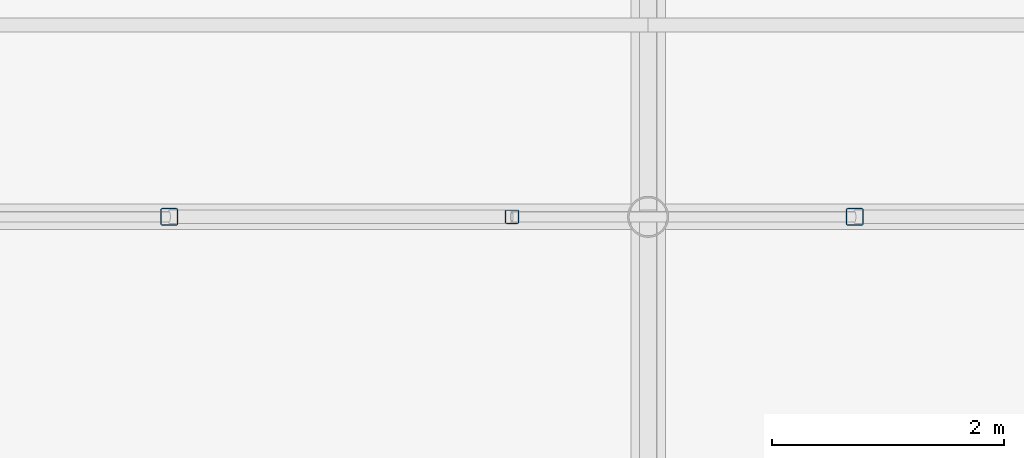
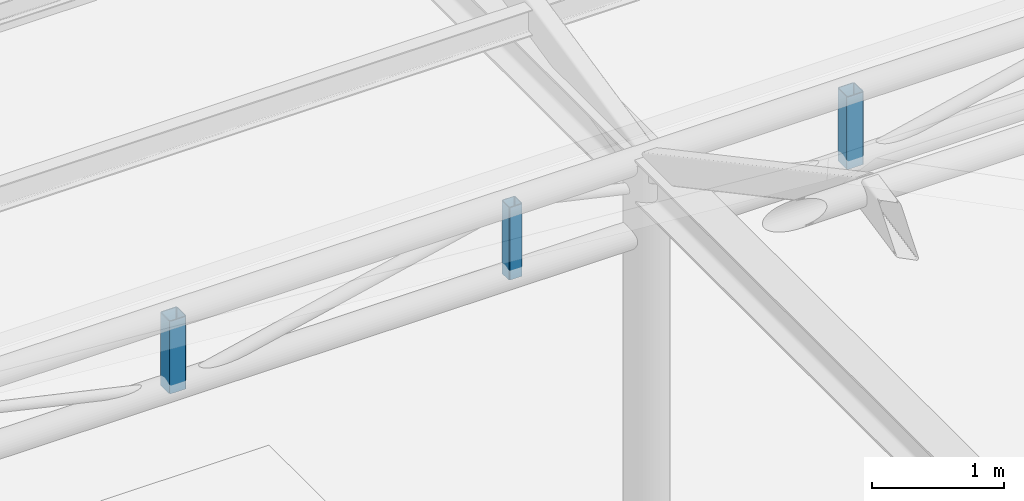
# One storey, part 62 of 118: 3 members.
"""IFC4 building model written with IfcOpenShell, lengths in metres."""

from ifc_helpers import new_model, si_unit, direction, frame, origin, origin_2d, place, context, subcontext, project, spatial, hollow_rectangle, extrude, material, material_profile, profile_set, type_object, element, save


model = new_model("IFC4")

# Units and contexts
model_context = context("Model", 3, precision=1e-05, world=origin(), true_north=direction((0.0, 1.0)))
body_context = subcontext(model_context, "Body", "Model", "MODEL_VIEW")
ifc_project = project(units=[si_unit("LENGTHUNIT", "METRE"), si_unit("AREAUNIT", "SQUARE_METRE"), si_unit("VOLUMEUNIT", "CUBIC_METRE"), si_unit("PLANEANGLEUNIT", "RADIAN"), si_unit("MASSUNIT", "GRAM", prefix="KILO")], contexts=[model_context])

# Site, building, storey
site_placement = place(None, origin())
site = spatial("IfcSite", under=ifc_project, at=site_placement, CompositionType="ELEMENT")
building_placement = place(site_placement, origin())
building = spatial("IfcBuilding", under=site, at=building_placement, Name="Kolvaren Corner Interchange", CompositionType="ELEMENT")
storey_placement = place(building_placement, origin())
storey = spatial("IfcBuildingStorey", under=building, at=storey_placement, Name="L01", CompositionType="ELEMENT", Elevation=0.0)

# Members
ifc_material_1 = material(Name="Steel S355", Category="steel")
ifc_material_profile_1 = material_profile(ifc_material_1, hollow_rectangle(XDim=0.1201171875, YDim=0.1201171875, WallThickness=0.00634765625, InnerFilletRadius=0.00634765625, OuterFilletRadius=0.0126953125, at=origin_2d()), Name="SHS 120x120x6.3")
ifc_profile_set_1 = profile_set([ifc_material_profile_1], Name="Steel S355")
member_type_1 = type_object("IfcMemberType", Name="MEM-PT-SHS120", PredefinedType="POST", material=ifc_profile_set_1)
member_placement = place(storey_placement, frame((154.625, 90.0, 5.64990234375), z_axis=(0.0, 0.0, 1.0), x_axis=(1.0, 0.0, 0.0)))
element("IfcMember", 1, at=member_placement, inside=storey, type_object=member_type_1, Name="Bus Canopy Sawtooth Roof Truss 05 Web Post 10", PredefinedType="POST", context=body_context, shape_type="SweptSolid", body=[
    extrude(hollow_rectangle(XDim=0.1201171875, YDim=0.1201171875, WallThickness=0.00634765625, InnerFilletRadius=0.00634765625, OuterFilletRadius=0.0126953125, at=origin_2d()), origin(), (0.0, 0.0, 1.0), 0.670166015625),
])
ifc_material_2 = material(Name="Steel S355", Category="steel")
ifc_material_profile_2 = material_profile(ifc_material_2, hollow_rectangle(XDim=0.14990234375, YDim=0.14990234375, WallThickness=0.008056640625, InnerFilletRadius=0.008056640625, OuterFilletRadius=0.01611328125, at=origin_2d()), Name="SHS 150x150x8.0")
ifc_profile_set_2 = profile_set([ifc_material_profile_2], Name="Steel S355")
member_type_2 = type_object("IfcMemberType", Name="MEM-PT-SHS150", PredefinedType="POST", material=ifc_profile_set_2)
for number, where, z_axis, x_axis, name in (
    (2, (151.666748046875, 90.0, 5.64990234375), (0.0, 0.0, 1.0), (1.0, 0.0, 0.0), "Bus Canopy Sawtooth Roof Truss 05 Web Post 09"),
    (3, (157.583251953125, 90.0, 5.64990234375), (0.0, 0.0, 1.0), (1.0, 0.0, 0.0), "Bus Canopy Sawtooth Roof Truss 05 Web Post 11"),
):
    element("IfcMember", number, at=place(storey_placement, frame(where, z_axis=z_axis, x_axis=x_axis)), inside=storey, type_object=member_type_2, Name=name, PredefinedType="POST", context=body_context, shape_type="SweptSolid", body=[
        extrude(hollow_rectangle(XDim=0.14990234375, YDim=0.14990234375, WallThickness=0.008056640625, InnerFilletRadius=0.008056640625, OuterFilletRadius=0.01611328125, at=origin_2d()), origin(), (0.0, 0.0, 1.0), 0.670166015625),
    ])

save(model, "model.ifc")
